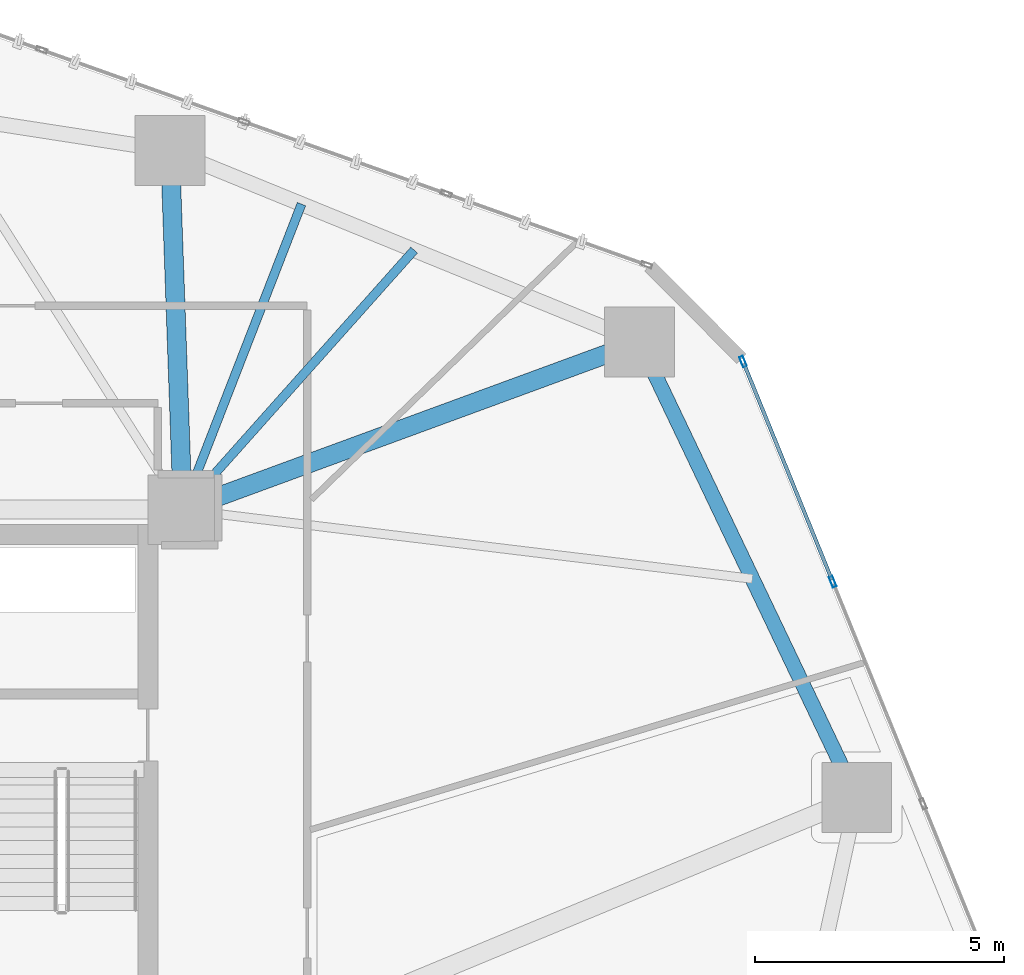
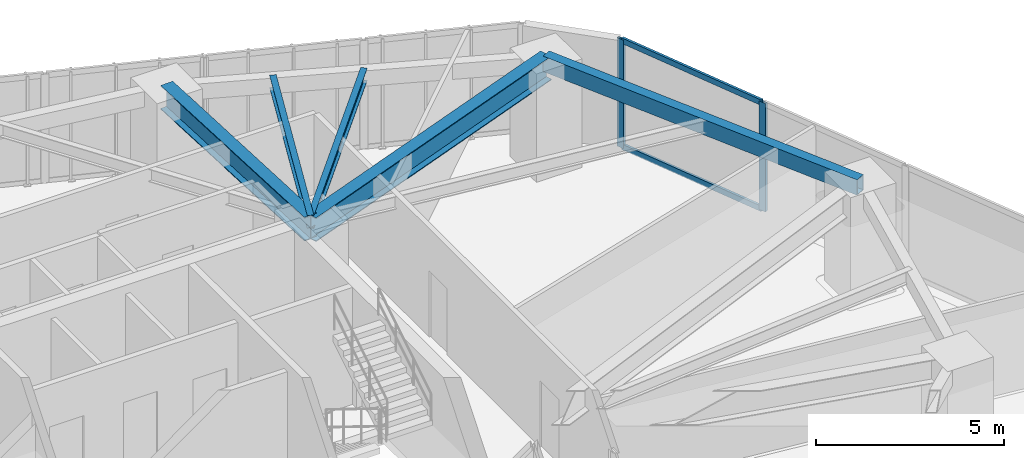
# One storey, part 13 of 24: 5 beams, 4 members, 1 element without a shape of its own.
"""IFC4 building model written with IfcOpenShell, lengths in metres."""

from ifc_helpers import new_model, si_unit, direction, frame, origin, origin_2d, place, context, subcontext, project, spatial, hollow_rectangle, i_section, extrude, source, transform, mapped, material, layer, layer_set, material_profile, profile_set, type_object, type_shapes, element, aggregate, save


model = new_model("IFC4")

# Units and contexts
model_context = context("Model", 3, precision=1e-05, world=origin(), true_north=direction((0.0, 1.0)))
body_context = subcontext(model_context, "Body", "Model", "MODEL_VIEW")
ifc_project = project(units=[si_unit("LENGTHUNIT", "METRE"), si_unit("AREAUNIT", "SQUARE_METRE"), si_unit("VOLUMEUNIT", "CUBIC_METRE"), si_unit("PLANEANGLEUNIT", "RADIAN"), si_unit("MASSUNIT", "GRAM", prefix="KILO")], contexts=[model_context])

# Site, building, storey
site_placement = place(None, origin())
site = spatial("IfcSite", under=ifc_project, at=site_placement, CompositionType="ELEMENT")
building_placement = place(site_placement, origin())
building = spatial("IfcBuilding", under=site, at=building_placement, Name="Talar Marvaseh", CompositionType="ELEMENT")
storey_placement = place(building_placement, frame((0.0, 0.0, 31.60009765625)))
storey = spatial("IfcBuildingStorey", under=building, at=storey_placement, Name="L07", CompositionType="ELEMENT", Elevation=31.60009765625)

# Beams
ifc_material_1 = material(Name="Steel S355", Category="steel")
ifc_material_profile_1 = material_profile(ifc_material_1, hollow_rectangle(XDim=0.300048828125, YDim=0.5, WallThickness=0.02001953125, at=origin_2d()), Name="RHS500x300x20")
ifc_profile_set_1 = profile_set([ifc_material_profile_1], Name="Steel S355")
beam_type_1 = type_object("IfcBeamType", Name="Zone 1 Perimeter Spandrel Beam RHS500x300x20", PredefinedType="SPANDREL", material=ifc_profile_set_1)
beam_1_placement = place(storey_placement, frame((42.47705078125, 40.26904296875, 3.27001953125), z_axis=(0.430480372911, -0.902599938255, 0.0), x_axis=(0.902599938255, 0.430480372911, 0.0)))
element("IfcBeam", 1, at=beam_1_placement, inside=storey, type_object=beam_type_1, Name="L07 Zone 1 Perimeter Spandrel Beam RHS500x300x20", PredefinedType="SPANDREL", context=body_context, shape_type="SweptSolid", body=[
    extrude(hollow_rectangle(XDim=0.300048828125, YDim=0.5, WallThickness=0.02001953125, at=origin_2d()), origin(), (0.0, 0.0, 1.0), 10.137451171875),
])
ifc_material_profile_2 = material_profile(ifc_material_1, i_section(OverallWidth=0.381103515625, OverallDepth=0.77294921875, WebThickness=0.0166015625, FlangeThickness=0.027099609375, at=origin_2d()), Name="W760x257")
ifc_profile_set_2 = profile_set([ifc_material_profile_2], Name="Steel S355")
beam_type_2 = type_object("IfcBeamType", Name="Zone 1 Radial Floor Girder W760x257", PredefinedType="BEAM", material=ifc_profile_set_2)
beam_2_placement = place(storey_placement, frame((42.47705078125, 40.26904296875, 3.13330078125), z_axis=(-0.938736057616, -0.344636930887, 0.0), x_axis=(0.344636930887, -0.938736057616, 0.0)))
element("IfcBeam", 2, at=beam_2_placement, inside=storey, type_object=beam_type_2, Name="L07 Zone 1 Radial Floor Girder W760x257", PredefinedType="BEAM", context=body_context, shape_type="SweptSolid", body=[
    extrude(i_section(OverallWidth=0.381103515625, OverallDepth=0.77294921875, WebThickness=0.0166015625, FlangeThickness=0.027099609375, at=origin_2d()), origin(), (0.0, 0.0, 1.0), 9.77587890625),
])
beam_3_placement = place(storey_placement, frame((33.0458984375, 44.117919921875, 3.13330078125), z_axis=(0.03518874657, -0.999380684281, 0.0), x_axis=(0.999380684281, 0.03518874657, 0.0)))
element("IfcBeam", 3, at=beam_3_placement, inside=storey, type_object=beam_type_2, Name="L07 Zone 1 Radial Floor Girder W760x257", PredefinedType="BEAM", context=body_context, shape_type="SweptSolid", body=[
    extrude(i_section(OverallWidth=0.381103515625, OverallDepth=0.77294921875, WebThickness=0.0166015625, FlangeThickness=0.027099609375, at=origin_2d()), origin(), (0.0, 0.0, 1.0), 7.222412109375),
])
ifc_material_profile_3 = material_profile(ifc_material_1, i_section(OverallWidth=0.179931640625, OverallDepth=0.4130859375, WebThickness=0.009765625, FlangeThickness=0.01611328125, at=origin_2d()), Name="W410x75")
ifc_profile_set_3 = profile_set([ifc_material_profile_3], Name="Steel S355")
beam_type_3 = type_object("IfcBeamType", Name="Zone 1 Secondary Floor Joist W410x75", PredefinedType="JOIST", material=ifc_profile_set_3)
beam_4_placement = place(storey_placement, frame((35.686767578125, 43.040283203125, 3.3134765625), z_axis=(-0.362287091686, -0.932066555133, 0.0), x_axis=(0.932066555133, -0.362287091686, 0.0)))
element("IfcBeam", 4, at=beam_4_placement, inside=storey, type_object=beam_type_3, Name="L07 Zone 1 Secondary Floor Joist W410x75", PredefinedType="JOIST", context=body_context, shape_type="SweptSolid", body=[
    extrude(i_section(OverallWidth=0.179931640625, OverallDepth=0.4130859375, WebThickness=0.009765625, FlangeThickness=0.01611328125, at=origin_2d()), origin(), (0.0, 0.0, 1.0), 6.587890625),
])
beam_5_placement = place(storey_placement, frame((37.9501953125, 42.116455078125, 3.3134765625), z_axis=(-0.665419195859, -0.746469888062, 0.0), x_axis=(0.746469888062, -0.665419195859, 0.0)))
element("IfcBeam", 5, at=beam_5_placement, inside=storey, type_object=beam_type_3, Name="L07 Zone 1 Secondary Floor Joist W410x75", PredefinedType="JOIST", context=body_context, shape_type="SweptSolid", body=[
    extrude(i_section(OverallWidth=0.179931640625, OverallDepth=0.4130859375, WebThickness=0.009765625, FlangeThickness=0.01611328125, at=origin_2d()), origin(), (0.0, 0.0, 1.0), 6.98828125),
])

# Curtain wall, members
ifc_material_2 = material(Name="Architectural Aluminium", Category="aluminium")
ifc_layer = layer(ifc_material_2, 0.219970703125)
ifc_layer_set = layer_set([ifc_layer], Name="Architectural Aluminium")
curtain_wall_type = type_object("IfcCurtainWallType", Name="Unitised Low-E Museum Curtain Wall Z1", PredefinedType="NOTDEFINED", material=ifc_layer_set)
curtain_wall_placement = place(storey_placement, origin())
curtain_wall = element("IfcCurtainWall", 6, at=curtain_wall_placement, inside=storey, type_object=curtain_wall_type, Name="L07 Unitised Low-E Museum Curtain Wall Z1", PredefinedType="NOTDEFINED")
ifc_material_profile_4 = material_profile(ifc_material_2, hollow_rectangle(XDim=0.080078125, YDim=0.219970703125, WallThickness=0.0048828125, at=origin_2d()), Name="RHS220x80x5")
ifc_profile_set_4 = profile_set([ifc_material_profile_4], Name="Architectural Aluminium")
member_type_1 = type_object("IfcMemberType", Name="Unitised Curtain Wall Heavy Mullion RHS220x80x5", PredefinedType="MULLION", material=ifc_profile_set_4)
shared_shape_1 = source(origin(), body_context, "Body", "SweptSolid", [
    extrude(hollow_rectangle(XDim=0.080078125, YDim=0.219970703125, WallThickness=0.0048828125, at=origin_2d()), origin(), (0.0, 0.0, 1.0), 3.52001953125),
])
type_shapes(member_type_1, [shared_shape_1])
member_1_placement = place(storey_placement, frame((44.557861328125, 39.875732421875, 0.0), z_axis=(0.0, 0.0, 1.0), x_axis=(0.926174284661, 0.377095736428, 0.0)))
member_1 = element("IfcMember", 7, at=member_1_placement, type_object=member_type_1, Name="CW-Z1 mullion 1", PredefinedType="MULLION", context=body_context, shape_type="MappedRepresentation", body=[
    mapped(shared_shape_1, transform((0.0, 0.0, 0.0), x_axis=(1.0, 0.0, 0.0), y_axis=(0.0, 1.0, 0.0), z_axis=(0.0, 0.0, 1.0), scale=1.0)),
])
member_2_placement = place(storey_placement, frame((46.359130859375, 35.45166015625, 0.0), z_axis=(0.0, 0.0, 1.0), x_axis=(0.926174284661, 0.377095736428, 0.0)))
member_2 = element("IfcMember", 8, at=member_2_placement, type_object=member_type_1, Name="CW-Z1 mullion 2", PredefinedType="MULLION", context=body_context, shape_type="MappedRepresentation", body=[
    mapped(shared_shape_1, transform((0.0, 0.0, 0.0), x_axis=(1.0, 0.0, 0.0), y_axis=(0.0, 1.0, 0.0), z_axis=(0.0, 0.0, 1.0), scale=1.0)),
])
ifc_material_profile_5 = material_profile(ifc_material_2, hollow_rectangle(XDim=0.074951171875, YDim=0.179931640625, WallThickness=0.0048828125, at=origin_2d()), Name="RHS180x75x5")
ifc_profile_set_5 = profile_set([ifc_material_profile_5], Name="Architectural Aluminium")
member_type_2 = type_object("IfcMemberType", Name="Unitised Curtain Wall Transom RHS180x75x5", PredefinedType="USERDEFINED", material=ifc_profile_set_5)
shared_shape_2 = source(origin(), body_context, "Body", "SweptSolid", [
    extrude(hollow_rectangle(XDim=0.074951171875, YDim=0.179931640625, WallThickness=0.0048828125, at=origin_2d()), origin(), (0.0, 0.0, 1.0), 4.696533203125),
])
type_shapes(member_type_2, [shared_shape_2])
member_3_placement = place(storey_placement, frame((44.57275390625, 39.838623046875, 0.037353515625), z_axis=(0.377128459819, -0.926160960522, 0.0), x_axis=(0.926160960522, 0.377128459819, 0.0)))
member_3 = element("IfcMember", 9, at=member_3_placement, type_object=member_type_2, Name="CW-Z1 transom 1.1", ObjectType="TRANSOM", PredefinedType="USERDEFINED", context=body_context, shape_type="MappedRepresentation", body=[
    mapped(shared_shape_2, transform((0.0, 0.0, 0.0), x_axis=(1.0, 0.0, 0.0), y_axis=(0.0, 1.0, 0.0), z_axis=(0.0, 0.0, 1.0), scale=1.0)),
])
member_4_placement = place(storey_placement, frame((44.57275390625, 39.838623046875, 3.482421875), z_axis=(0.377128459819, -0.926160960522, 0.0), x_axis=(0.926160960522, 0.377128459819, 0.0)))
member_4 = element("IfcMember", 10, at=member_4_placement, type_object=member_type_2, Name="CW-Z1 transom 1.2", ObjectType="TRANSOM", PredefinedType="USERDEFINED", context=body_context, shape_type="MappedRepresentation", body=[
    mapped(shared_shape_2, transform((0.0, 0.0, 0.0), x_axis=(1.0, 0.0, 0.0), y_axis=(0.0, 1.0, 0.0), z_axis=(0.0, 0.0, 1.0), scale=1.0)),
])
aggregate(curtain_wall, [member_1, member_2, member_3, member_4])

save(model, "model.ifc")
